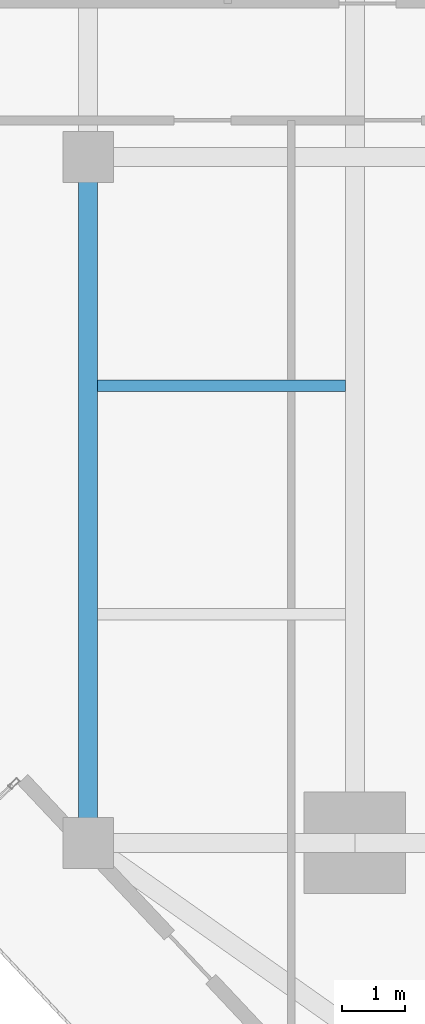
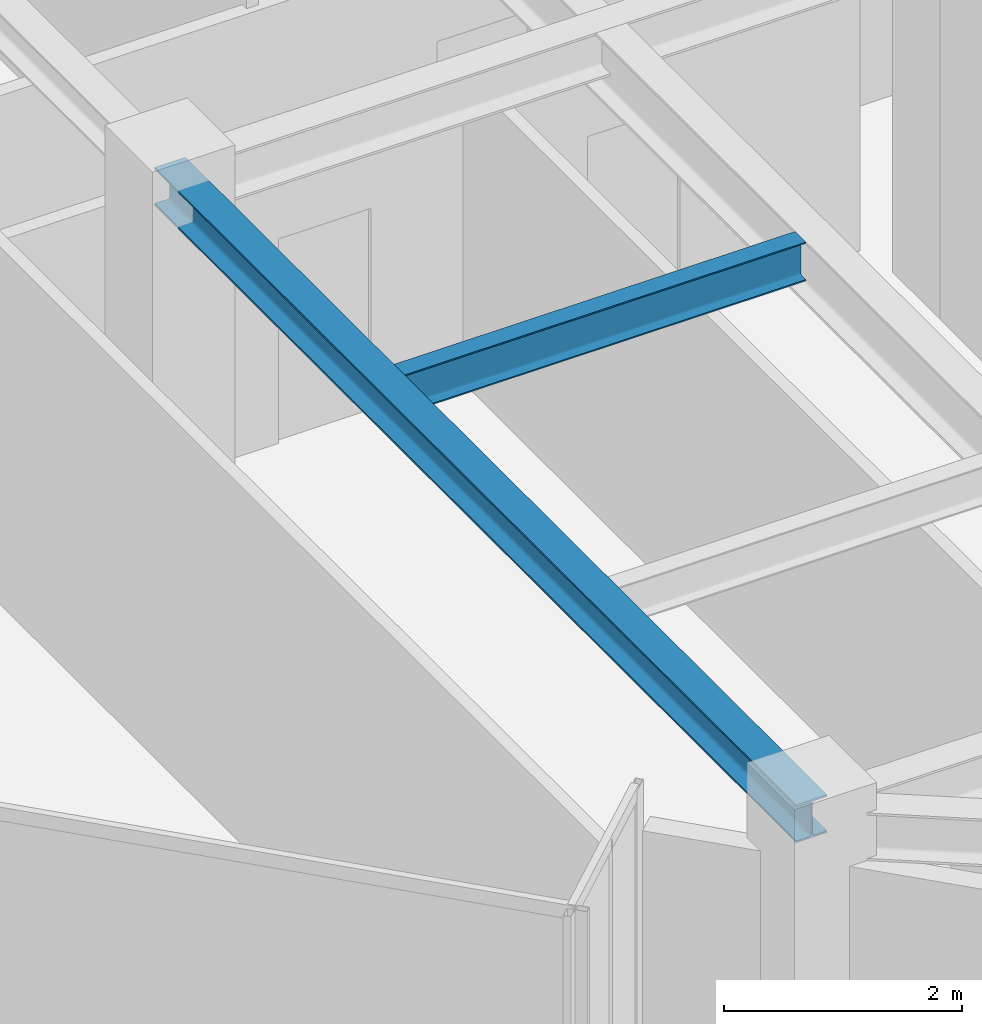
# One storey, part 6 of 24: 2 beams.
"""IFC4 building model written with IfcOpenShell, lengths in metres."""

from ifc_helpers import new_model, si_unit, direction, frame, origin, origin_2d, place, context, subcontext, project, spatial, i_section, extrude, source, transform, mapped, material, material_profile, profile_set, type_object, type_shapes, element, save


model = new_model("IFC4")

# Units and contexts
model_context = context("Model", 3, precision=1e-05, world=origin(), true_north=direction((0.0, 1.0)))
body_context = subcontext(model_context, "Body", "Model", "MODEL_VIEW")
ifc_project = project(units=[si_unit("LENGTHUNIT", "METRE"), si_unit("AREAUNIT", "SQUARE_METRE"), si_unit("VOLUMEUNIT", "CUBIC_METRE"), si_unit("PLANEANGLEUNIT", "RADIAN"), si_unit("MASSUNIT", "GRAM", prefix="KILO")], contexts=[model_context])

# Site, building, storey
site_placement = place(None, origin())
site = spatial("IfcSite", under=ifc_project, at=site_placement, CompositionType="ELEMENT")
building_placement = place(site_placement, origin())
building = spatial("IfcBuilding", under=site, at=building_placement, Name="Krantzveldt Concourse Tower", CompositionType="ELEMENT")
storey_placement = place(building_placement, frame((0.0, 0.0, 246.800048828125)))
storey = spatial("IfcBuildingStorey", under=building, at=storey_placement, Name="L60", CompositionType="ELEMENT", Elevation=246.800048828125)

# Beams
ifc_material = material(Name="Steel S355JR", Category="steel")
ifc_material_profile_1 = material_profile(ifc_material, i_section(OverallWidth=0.300048828125, OverallDepth=0.389892578125, WebThickness=0.010986328125, FlangeThickness=0.01904296875, FilletRadius=0.027099609375, at=origin_2d()), Name="Steel S355JR", Category="steel")
ifc_profile_set_1 = profile_set([ifc_material_profile_1], Name="Steel S355JR - HEA 400")
beam_type_1 = type_object("IfcBeamType", Name="BM-SP-HEA400", PredefinedType="SPANDREL", material=ifc_profile_set_1)
shared_shape_1 = source(origin(), body_context, "Body", "SweptSolid", [
    extrude(i_section(OverallWidth=0.300048828125, OverallDepth=0.389892578125, WebThickness=0.010986328125, FlangeThickness=0.01904296875, FilletRadius=0.027099609375, at=origin_2d()), origin(), (0.0, 0.0, 1.0), 10.800048828125),
])
type_shapes(beam_type_1, [shared_shape_1])
beam_1_placement = place(storey_placement, frame((21.0, 15.89990234375, 3.474853515625), z_axis=(0.0, 1.0, 0.0), x_axis=(-1.0, 0.0, 0.0)))
element("IfcBeam", 1, at=beam_1_placement, inside=storey, type_object=beam_type_1, Name="L60 Tower Girder SP-R01", PredefinedType="SPANDREL", context=body_context, shape_type="MappedRepresentation", body=[
    mapped(shared_shape_1, transform((0.0, 0.0, 0.0), x_axis=(1.0, 0.0, 0.0), y_axis=(0.0, 1.0, 0.0), z_axis=(0.0, 0.0, 1.0), scale=1.0)),
])
ifc_material_profile_2 = material_profile(ifc_material, i_section(OverallWidth=0.179931640625, OverallDepth=0.39990234375, WebThickness=0.008544921875, FlangeThickness=0.013427734375, FilletRadius=0.02099609375, at=origin_2d()), Name="Steel S355JR", Category="steel")
ifc_profile_set_2 = profile_set([ifc_material_profile_2], Name="Steel S355JR - IPE 400")
beam_type_2 = type_object("IfcBeamType", Name="BM-J-IPE400", PredefinedType="JOIST", material=ifc_profile_set_2)
shared_shape_2 = source(origin(), body_context, "Body", "SweptSolid", [
    extrude(i_section(OverallWidth=0.179931640625, OverallDepth=0.39990234375, WebThickness=0.008544921875, FlangeThickness=0.013427734375, FilletRadius=0.02099609375, at=origin_2d()), origin(), (0.0, 0.0, 1.0), 3.900146484375),
])
type_shapes(beam_type_2, [shared_shape_2])
beam_2_placement = place(storey_placement, frame((21.14990234375, 23.10009765625, 3.469970703125), z_axis=(1.0, 0.0, 0.0), x_axis=(0.0, 1.0, 0.0)))
element("IfcBeam", 2, at=beam_2_placement, inside=storey, type_object=beam_type_2, Name="L60 Secondary Floor Joist JW-2", PredefinedType="JOIST", context=body_context, shape_type="MappedRepresentation", body=[
    mapped(shared_shape_2, transform((0.0, 0.0, 0.0), x_axis=(1.0, 0.0, 0.0), y_axis=(0.0, 1.0, 0.0), z_axis=(0.0, 0.0, 1.0), scale=1.0)),
])

save(model, "model.ifc")
